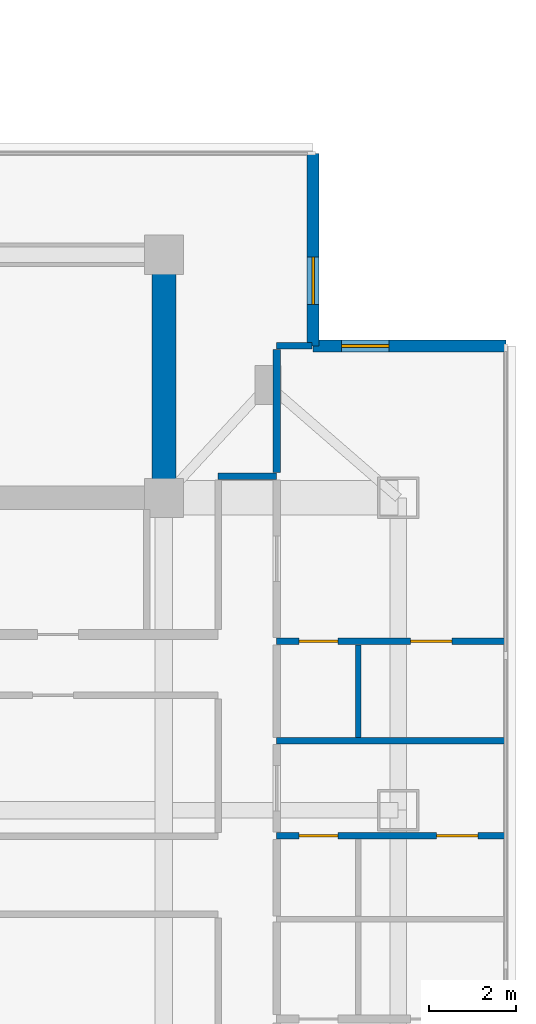
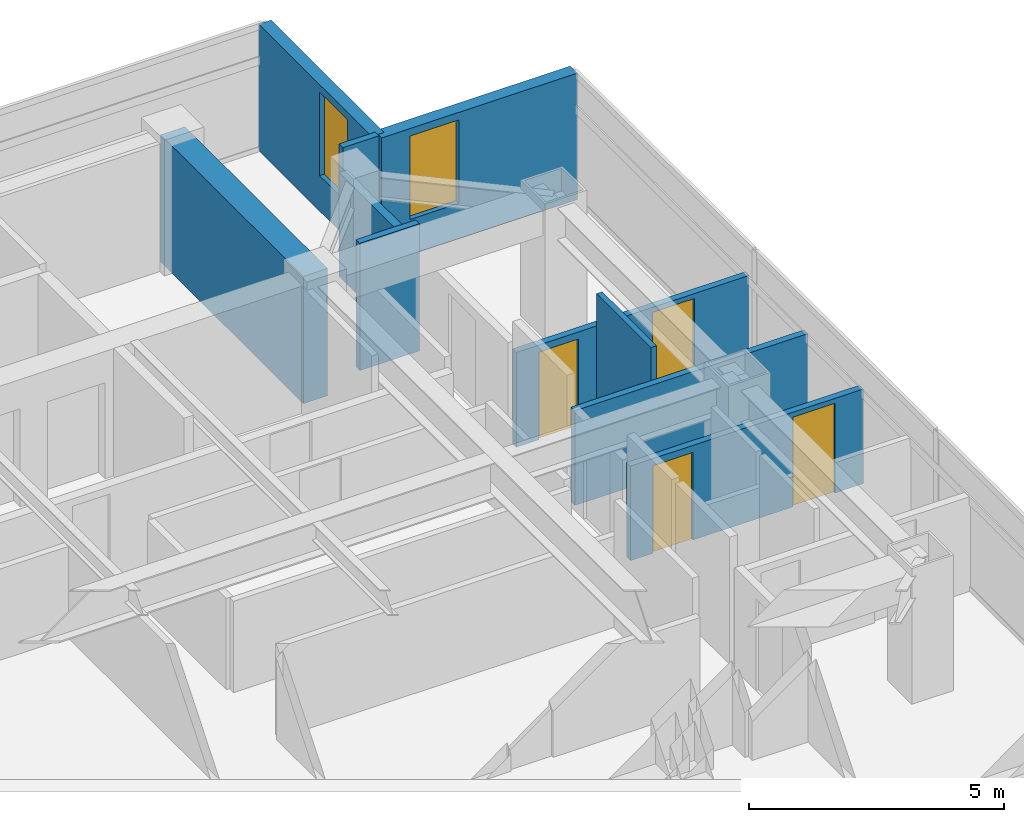
# One storey, part 17 of 23: 10 walls, 4 doors, 2 windows, 6 openings.
"""IFC4 building model written with IfcOpenShell, lengths in metres."""

from ifc_helpers import new_model, si_unit, direction, frame, frame_2d, origin, place, context, subcontext, project, spatial, rectangle, extrude, material, layer, layer_set, type_object, element, fill, save


model = new_model("IFC4")

# Units and contexts
model_context = context("Model", 3, precision=1e-05, world=origin(), true_north=direction((0.0, 1.0)))
body_context = subcontext(model_context, "Body", "Model", "MODEL_VIEW")
ifc_project = project(units=[si_unit("LENGTHUNIT", "METRE"), si_unit("AREAUNIT", "SQUARE_METRE"), si_unit("VOLUMEUNIT", "CUBIC_METRE"), si_unit("PLANEANGLEUNIT", "RADIAN"), si_unit("MASSUNIT", "GRAM", prefix="KILO")], contexts=[model_context])

# Site, building, storey
site_placement = place(None, origin())
site = spatial("IfcSite", under=ifc_project, at=site_placement, CompositionType="ELEMENT")
building_placement = place(site_placement, origin())
building = spatial("IfcBuilding", under=site, at=building_placement, Name="Mirazonda Arch Towers", CompositionType="ELEMENT")
storey_placement = place(building_placement, frame((0.0, 0.0, 183.64990234375)))
storey = spatial("IfcBuildingStorey", under=building, at=storey_placement, Name="L52", CompositionType="ELEMENT", Elevation=183.64990234375)

# Wall
ifc_material_1 = material(Name="Concrete C50/60", Category="concrete")
ifc_layer_1 = layer(ifc_material_1, 0.550048828125, Name="WALL-CORE-550")
ifc_layer_set_1 = layer_set([ifc_layer_1], Name="Concrete C50/60")
wall_type_1 = type_object("IfcWallType", Name="WALL-CORE-550", PredefinedType="SHEAR", material=ifc_layer_set_1)
wall_1_placement = place(storey_placement, frame((85.0, 35.199951171875, 0.0), z_axis=(0.0, 0.0, 1.0), x_axis=(0.0, 1.0, 0.0)))
element("IfcWall", 1, at=wall_1_placement, inside=storey, type_object=wall_type_1, Name="L52 T2N-E Core Shear Wall", PredefinedType="SHEAR", context=body_context, shape_type="SweptSolid", body=[
    extrude(rectangle(XDim=5.60009765625, YDim=0.550048828125, at=frame_2d((2.800048828125, 0.0))), origin(), (0.0, 0.0, 1.0), 3.050048828125),
])

# Wall, opening, window
ifc_material_2 = material(Name="Precast Concrete C40/50", Category="concrete")
ifc_layer_2 = layer(ifc_material_2, 0.280029296875, Name="WALL-EXT-WALL-280")
ifc_layer_set_2 = layer_set([ifc_layer_2], Name="Precast Concrete C40/50")
wall_type_2 = type_object("IfcWallType", Name="WALL-EXT-WALL-280", PredefinedType="SOLIDWALL", material=ifc_layer_set_2)
wall_2_placement = place(storey_placement, frame((88.437744140625, 38.69873046875, 0.0), z_axis=(0.0, 0.0, 1.0), x_axis=(0.0, 1.0, 0.0)))
wall_2 = element("IfcWall", 2, at=wall_2_placement, inside=storey, type_object=wall_type_2, Name="L52 T2 Notched NE Corner Wall WL-L52-T2-CNE", PredefinedType="SOLIDWALL", context=body_context, shape_type="SweptSolid", body=[
    extrude(rectangle(XDim=4.439697265625, YDim=0.280029296875, at=frame_2d((2.2197265625, 0.0))), origin(), (0.0, 0.0, 1.0), 3.030029296875),
])
opening_1_placement = place(wall_2_placement, frame((0.949951171875, 0.0, 0.85009765625)))
opening_1 = element("IfcOpeningElement", 3, at=opening_1_placement, cuts=wall_2, Name="Opening WN-108", PredefinedType="OPENING", context=body_context, shape_type="SweptSolid", body=[
    extrude(rectangle(XDim=1.10009765625, YDim=2.0, at=frame_2d((0.550048828125, 1.0))), frame((0.0, 0.14990234375, 0.0), z_axis=(0.0, -1.0, 0.0), x_axis=(1.0, 0.0, 0.0)), (0.0, 0.0, 1.0), 0.300048828125),
])
ifc_material_3 = material(Name="Insulated Low-E Solar Glass", Category="glass")
window_type = type_object("IfcWindowType", Name="WIN-NOTCH-1100x2000", PartitioningType="SINGLE_PANEL", PredefinedType="WINDOW", material=ifc_material_3)
window_1_placement = place(opening_1_placement, origin())
window_1 = element("IfcWindow", 4, at=window_1_placement, inside=storey, type_object=window_type, Name="L52 Punched Facade Window WN-L52-T2-CNE", OverallHeight=2.0, OverallWidth=1.10009765625, PartitioningType="SINGLE_PANEL", PredefinedType="WINDOW", context=body_context, shape_type="SweptSolid", body=[
    extrude(rectangle(XDim=1.10009765625, YDim=2.0, at=frame_2d((0.550048828125, 1.0))), frame((0.0, 0.030029296875, 0.0), z_axis=(0.0, -1.0, 0.0), x_axis=(1.0, 0.0, 0.0)), (0.0, 0.0, 1.0), 0.06005859375),
])
fill(opening_1, window_1)

wall_3_placement = place(storey_placement, frame((92.87744140625, 38.69873046875, 0.0), z_axis=(0.0, 0.0, 1.0), x_axis=(-1.0, 0.0, 0.0)))
wall_3 = element("IfcWall", 5, at=wall_3_placement, inside=storey, type_object=wall_type_2, Name="L52 T2 Corner Notch Return Wall WL-L52-T2-CNE2", PredefinedType="SOLIDWALL", context=body_context, shape_type="SweptSolid", body=[
    extrude(rectangle(XDim=4.439697265625, YDim=0.280029296875, at=frame_2d((2.2197265625, 0.0))), origin(), (0.0, 0.0, 1.0), 3.030029296875),
])
opening_2_placement = place(wall_3_placement, frame((2.68994140625, 0.0, 0.85009765625)))
opening_2 = element("IfcOpeningElement", 6, at=opening_2_placement, cuts=wall_3, Name="Opening WN-108", PredefinedType="OPENING", context=body_context, shape_type="SweptSolid", body=[
    extrude(rectangle(XDim=1.10009765625, YDim=2.0, at=frame_2d((0.550048828125, 1.0))), frame((0.0, 0.14990234375, 0.0), z_axis=(0.0, -1.0, 0.0), x_axis=(1.0, 0.0, 0.0)), (0.0, 0.0, 1.0), 0.300048828125),
])
window_2_placement = place(opening_2_placement, origin())
window_2 = element("IfcWindow", 7, at=window_2_placement, inside=storey, type_object=window_type, Name="L52 Punched Facade Window WN-L52-T2-CNE2", OverallHeight=2.0, OverallWidth=1.10009765625, PartitioningType="SINGLE_PANEL", PredefinedType="WINDOW", context=body_context, shape_type="SweptSolid", body=[
    extrude(rectangle(XDim=1.10009765625, YDim=2.0, at=frame_2d((0.550048828125, 1.0))), frame((0.0, 0.030029296875, 0.0), z_axis=(0.0, -1.0, 0.0), x_axis=(1.0, 0.0, 0.0)), (0.0, 0.0, 1.0), 0.06005859375),
])
fill(opening_2, window_2)

# Wall, openings, doors
ifc_material_4 = material(Name="Fire-Rated Gypsum Stud Partition")
ifc_layer_3 = layer(ifc_material_4, 0.14990234375, Name="WALL-PART-CORR-150")
ifc_layer_set_3 = layer_set([ifc_layer_3], Name="Fire-Rated Gypsum Stud Partition")
wall_type_3 = type_object("IfcWallType", Name="WALL-PART-CORR-150", PredefinedType="PARTITIONING", material=ifc_layer_set_3)
wall_4_placement = place(storey_placement, frame((87.60009765625, 27.412109375, 0.0), z_axis=(0.0, 0.0, 1.0), x_axis=(1.0, 0.0, 0.0)))
wall_4 = element("IfcWall", 8, at=wall_4_placement, inside=storey, type_object=wall_type_3, Name="L52 Interior Partition 034", PredefinedType="PARTITIONING", context=body_context, shape_type="SweptSolid", body=[
    extrude(rectangle(XDim=5.27685546875, YDim=0.14990234375, at=frame_2d((2.638427734375, 0.0))), origin(), (0.0, 0.0, 1.0), 2.26904296875),
])
opening_3_placement = place(wall_4_placement, frame((3.68359375, 0.0, 0.0)))
opening_3 = element("IfcOpeningElement", 9, at=opening_3_placement, cuts=wall_4, Name="Opening DR-104", PredefinedType="OPENING", context=body_context, shape_type="SweptSolid", body=[
    extrude(rectangle(XDim=0.949951171875, YDim=2.14990234375, at=frame_2d((0.47509765625, 1.074951171875))), frame((0.0, 0.0849609375, 0.0), z_axis=(0.0, -1.0, 0.0), x_axis=(1.0, 0.0, 0.0)), (0.0, 0.0, 1.0), 0.169921875),
])
opening_4_placement = place(wall_4_placement, frame((0.510009765625, 0.0, 0.0)))
opening_4 = element("IfcOpeningElement", 10, at=opening_4_placement, cuts=wall_4, Name="Opening DR-120", PredefinedType="OPENING", context=body_context, shape_type="SweptSolid", body=[
    extrude(rectangle(XDim=0.89990234375, YDim=2.10009765625, at=frame_2d((0.449951171875, 1.050048828125))), frame((0.0, 0.0849609375, 0.0), z_axis=(0.0, -1.0, 0.0), x_axis=(1.0, 0.0, 0.0)), (0.0, 0.0, 1.0), 0.169921875),
])
ifc_material_5 = material(Name="Architectural Brushed Steel S355", Category="steel")
door_type_1 = type_object("IfcDoorType", Name="DOOR-ROOM-950", OperationType="NOTDEFINED", PredefinedType="DOOR", material=ifc_material_5)
door_1_placement = place(opening_3_placement, origin())
door_1 = element("IfcDoor", 11, at=door_1_placement, inside=storey, type_object=door_type_1, Name="L52 Studio 2 Galley Kitchen Door", OperationType="SINGLE_SWING_RIGHT", OverallHeight=2.14990234375, OverallWidth=0.949951171875, PredefinedType="DOOR", context=body_context, shape_type="SweptSolid", body=[
    extrude(rectangle(XDim=0.949951171875, YDim=2.14990234375, at=frame_2d((0.47509765625, 1.074951171875))), frame((0.0, 0.02490234375, 0.0), z_axis=(0.0, -1.0, 0.0), x_axis=(1.0, 0.0, 0.0)), (0.0, 0.0, 1.0), 0.050048828125),
])
fill(opening_3, door_1)
door_type_2 = type_object("IfcDoorType", Name="DOOR-WC-900", OperationType="NOTDEFINED", PredefinedType="DOOR", material=ifc_material_5)
door_2_placement = place(opening_4_placement, origin())
door_2 = element("IfcDoor", 12, at=door_2_placement, inside=storey, type_object=door_type_2, Name="L52 Studio 2 Bathroom Door", OperationType="SINGLE_SWING_LEFT", OverallHeight=2.10009765625, OverallWidth=0.89990234375, PredefinedType="DOOR", context=body_context, shape_type="SweptSolid", body=[
    extrude(rectangle(XDim=0.89990234375, YDim=2.10009765625, at=frame_2d((0.449951171875, 1.050048828125))), frame((0.0, 0.02490234375, 0.0), z_axis=(0.0, -1.0, 0.0), x_axis=(1.0, 0.0, 0.0)), (0.0, 0.0, 1.0), 0.050048828125),
])
fill(opening_4, door_2)

# Wall
wall_5_placement = place(storey_placement, frame((87.60009765625, 29.595947265625, 0.0), z_axis=(0.0, 0.0, 1.0), x_axis=(1.0, 0.0, 0.0)))
element("IfcWall", 13, at=wall_5_placement, inside=storey, type_object=wall_type_3, Name="L52 Interior Partition 037", PredefinedType="PARTITIONING", context=body_context, shape_type="SweptSolid", body=[
    extrude(rectangle(XDim=5.27685546875, YDim=0.14990234375, at=frame_2d((2.638427734375, 0.0))), origin(), (0.0, 0.0, 1.0), 2.26904296875),
])

# Wall, openings, doors
wall_6_placement = place(storey_placement, frame((87.60009765625, 31.89599609375, 0.0), z_axis=(0.0, 0.0, 1.0), x_axis=(1.0, 0.0, 0.0)))
wall_6 = element("IfcWall", 14, at=wall_6_placement, inside=storey, type_object=wall_type_3, Name="L52 Interior Partition 042", PredefinedType="PARTITIONING", context=body_context, shape_type="SweptSolid", body=[
    extrude(rectangle(XDim=5.27685546875, YDim=0.14990234375, at=frame_2d((2.638427734375, 0.0))), origin(), (0.0, 0.0, 1.0), 2.26904296875),
])
opening_5_placement = place(wall_6_placement, frame((3.08349609375, 0.0, 0.0)))
opening_5 = element("IfcOpeningElement", 15, at=opening_5_placement, cuts=wall_6, Name="Opening DR-104", PredefinedType="OPENING", context=body_context, shape_type="SweptSolid", body=[
    extrude(rectangle(XDim=0.949951171875, YDim=2.14990234375, at=frame_2d((0.47509765625, 1.074951171875))), frame((0.0, 0.0849609375, 0.0), z_axis=(0.0, -1.0, 0.0), x_axis=(1.0, 0.0, 0.0)), (0.0, 0.0, 1.0), 0.169921875),
])
opening_6_placement = place(wall_6_placement, frame((0.510009765625, 0.0, 0.0)))
opening_6 = element("IfcOpeningElement", 16, at=opening_6_placement, cuts=wall_6, Name="Opening DR-120", PredefinedType="OPENING", context=body_context, shape_type="SweptSolid", body=[
    extrude(rectangle(XDim=0.89990234375, YDim=2.10009765625, at=frame_2d((0.449951171875, 1.050048828125))), frame((0.0, 0.0849609375, 0.0), z_axis=(0.0, -1.0, 0.0), x_axis=(1.0, 0.0, 0.0)), (0.0, 0.0, 1.0), 0.169921875),
])
door_3_placement = place(opening_5_placement, origin())
door_3 = element("IfcDoor", 17, at=door_3_placement, inside=storey, type_object=door_type_1, Name="L52 Studio 3 Galley Kitchen Door", OperationType="SINGLE_SWING_LEFT", OverallHeight=2.14990234375, OverallWidth=0.949951171875, PredefinedType="DOOR", context=body_context, shape_type="SweptSolid", body=[
    extrude(rectangle(XDim=0.949951171875, YDim=2.14990234375, at=frame_2d((0.47509765625, 1.074951171875))), frame((0.0, 0.02490234375, 0.0), z_axis=(0.0, -1.0, 0.0), x_axis=(1.0, 0.0, 0.0)), (0.0, 0.0, 1.0), 0.050048828125),
])
fill(opening_5, door_3)
door_4_placement = place(opening_6_placement, origin())
door_4 = element("IfcDoor", 18, at=door_4_placement, inside=storey, type_object=door_type_2, Name="L52 Studio 3 Bathroom Door", OperationType="SINGLE_SWING_RIGHT", OverallHeight=2.10009765625, OverallWidth=0.89990234375, PredefinedType="DOOR", context=body_context, shape_type="SweptSolid", body=[
    extrude(rectangle(XDim=0.89990234375, YDim=2.10009765625, at=frame_2d((0.449951171875, 1.050048828125))), frame((0.0, 0.02490234375, 0.0), z_axis=(0.0, -1.0, 0.0), x_axis=(1.0, 0.0, 0.0)), (0.0, 0.0, 1.0), 0.050048828125),
])
fill(opening_6, door_4)

# Walls
wall_7_placement = place(storey_placement, frame((86.25, 35.699951171875, 0.0), z_axis=(0.0, 0.0, 1.0), x_axis=(1.0, 0.0, 0.0)))
element("IfcWall", 19, at=wall_7_placement, inside=storey, type_object=wall_type_3, Name="L52 Interior Partition 051", PredefinedType="PARTITIONING", context=body_context, shape_type="SweptSolid", body=[
    extrude(rectangle(XDim=1.35009765625, YDim=0.14990234375, at=frame_2d((0.675048828125, 0.0))), origin(), (0.0, 0.0, 1.0), 3.050048828125),
])
wall_8_placement = place(storey_placement, frame((87.60009765625, 38.698974609375, 0.0), z_axis=(0.0, 0.0, 1.0), x_axis=(1.0, 0.0, 0.0)))
element("IfcWall", 20, at=wall_8_placement, inside=storey, type_object=wall_type_3, Name="L52 Interior Partition 055", PredefinedType="PARTITIONING", context=body_context, shape_type="SweptSolid", body=[
    extrude(rectangle(XDim=0.817626953125, YDim=0.14990234375, at=frame_2d((0.40869140625, 0.0))), origin(), (0.0, 0.0, 1.0), 3.050048828125),
])
ifc_material_6 = material(Name="Fire-Rated Gypsum Twin-Stud Assembly")
ifc_layer_4 = layer(ifc_material_6, 0.179931640625, Name="WALL-PART-DEMISE-180")
ifc_layer_set_4 = layer_set([ifc_layer_4], Name="Fire-Rated Gypsum Twin-Stud Assembly")
wall_type_4 = type_object("IfcWallType", Name="WALL-PART-DEMISE-180", PredefinedType="PARTITIONING", material=ifc_layer_set_4)
wall_9_placement = place(storey_placement, frame((87.60009765625, 35.784912109375, 0.0), z_axis=(0.0, 0.0, 1.0), x_axis=(0.0, 1.0, 0.0)))
element("IfcWall", 21, at=wall_9_placement, inside=storey, type_object=wall_type_4, Name="L52 Interior Partition 163", PredefinedType="PARTITIONING", context=body_context, shape_type="SweptSolid", body=[
    extrude(rectangle(XDim=2.8291015625, YDim=0.179931640625, at=frame_2d((1.41455078125, 0.0))), origin(), (0.0, 0.0, 1.0), 2.4931640625),
])
ifc_material_7 = material(Name="Acoustic Fire-Rated Gypsum Partition")
ifc_layer_5 = layer(ifc_material_7, 0.125, Name="WALL-PART-UNIT-125")
ifc_layer_set_5 = layer_set([ifc_layer_5], Name="Acoustic Fire-Rated Gypsum Partition")
wall_type_5 = type_object("IfcWallType", Name="WALL-PART-UNIT-125", PredefinedType="PARTITIONING", material=ifc_layer_set_5)
wall_10_placement = place(storey_placement, frame((89.47998046875, 29.680908203125, 0.0), z_axis=(0.0, 0.0, 1.0), x_axis=(0.0, 1.0, 0.0)))
element("IfcWall", 22, at=wall_10_placement, inside=storey, type_object=wall_type_5, Name="L52 Interior Partition 166", PredefinedType="PARTITIONING", context=body_context, shape_type="SweptSolid", body=[
    extrude(rectangle(XDim=2.130126953125, YDim=0.125, at=frame_2d((1.06494140625, 0.0))), origin(), (0.0, 0.0, 1.0), 3.050048828125),
])

save(model, "model.ifc")
